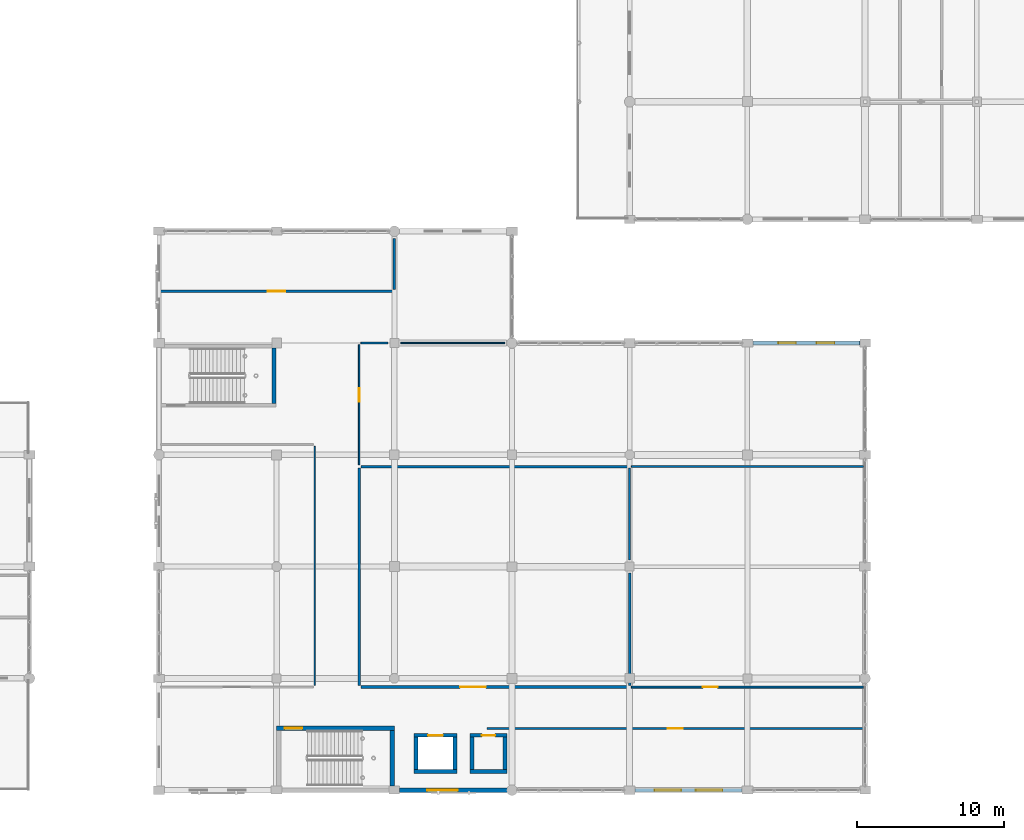
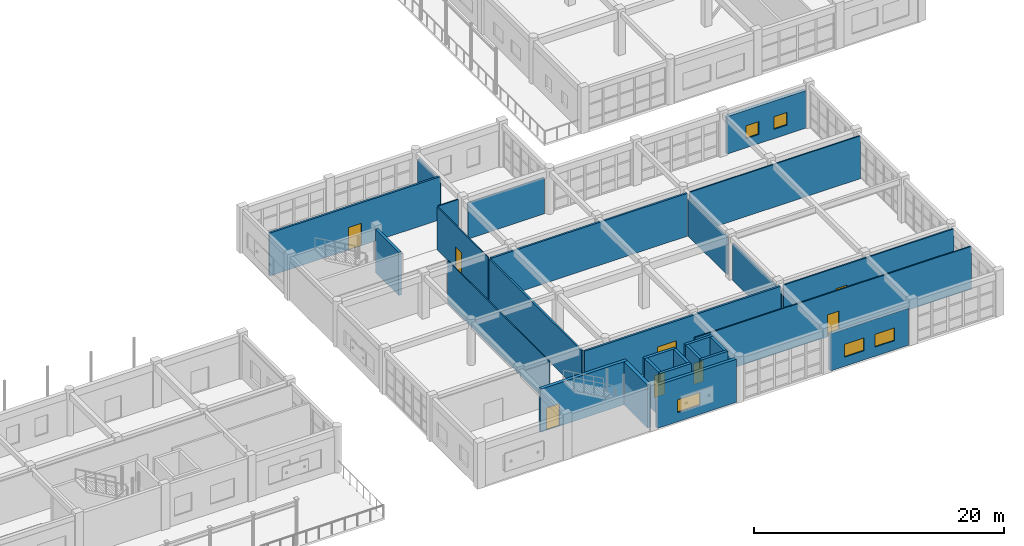
# One storey, part 134 of 160: 28 walls, 8 doors, 5 windows, 13 openings.
"""IFC4 building model written with IfcOpenShell, lengths in metres."""

from ifc_helpers import new_model, si_unit, direction, frame, frame_2d, origin, place, context, subcontext, project, spatial, rectangle, extrude, material, layer, layer_set, type_object, element, fill, save


model = new_model("IFC4")

# Units and contexts
model_context = context("Model", 3, precision=1e-05, world=origin(), true_north=direction((0.0, 1.0)))
body_context = subcontext(model_context, "Body", "Model", "MODEL_VIEW")
ifc_project = project(units=[si_unit("LENGTHUNIT", "METRE"), si_unit("AREAUNIT", "SQUARE_METRE"), si_unit("VOLUMEUNIT", "CUBIC_METRE"), si_unit("PLANEANGLEUNIT", "RADIAN"), si_unit("MASSUNIT", "GRAM", prefix="KILO")], contexts=[model_context])

# Site, building, storey
site_placement = place(None, origin())
site = spatial("IfcSite", under=ifc_project, at=site_placement, CompositionType="ELEMENT")
building_placement = place(site_placement, origin())
building = spatial("IfcBuilding", under=site, at=building_placement, Name="Kharva Crest Polytechnic", CompositionType="ELEMENT")
storey_placement = place(building_placement, frame((0.0, 0.0, 4.5)))
storey = spatial("IfcBuildingStorey", under=building, at=storey_placement, Name="L01", CompositionType="ELEMENT", Elevation=4.5)

# Wall, opening, door
ifc_material_1 = material(Name="Concrete C40/50", Category="concrete")
ifc_layer_1 = layer(ifc_material_1, 0.300048828125, Name="Concrete C40/50")
ifc_layer_set_1 = layer_set([ifc_layer_1], Name="Concrete C40/50")
wall_type_1 = type_object("IfcWallType", Name="WL-CORE-CW2-300", PredefinedType="SHEAR", material=ifc_layer_set_1)
wall_1_placement = place(storey_placement, frame((128.800048828125, 4.2099609375, 0.0), z_axis=(0.0, 0.0, 1.0), x_axis=(1.0, 0.0, 0.0)))
wall_1 = element("IfcWall", 1, at=wall_1_placement, inside=storey, type_object=wall_type_1, Name="L01 South-East Refectory Escarpment Core C6 North Shear Wall", PredefinedType="SHEAR", context=body_context, shape_type="SweptSolid", body=[
    extrude(rectangle(XDim=8.0, YDim=0.300048828125, at=frame_2d((4.0, 0.0))), origin(), (0.0, 0.0, 1.0), 4.219970703125),
])
opening_1_placement = place(wall_1_placement, frame((0.550048828125, 0.0, 0.0)))
opening_1 = element("IfcOpeningElement", 2, at=opening_1_placement, cuts=wall_1, Name="Opening FD1", PredefinedType="OPENING", context=body_context, shape_type="SweptSolid", body=[
    extrude(rectangle(XDim=1.199951171875, YDim=2.199951171875, at=frame_2d((0.60009765625, 1.10009765625))), frame((0.0, 0.159912109375, 0.0), z_axis=(0.0, -1.0, 0.0), x_axis=(1.0, 0.0, 0.0)), (0.0, 0.0, 1.0), 0.320068359375),
])
ifc_material_2 = material(Name="Teak timber", Category="wood")
door_type_1 = type_object("IfcDoorType", Name="DR-STAIR-1200X2200", OperationType="NOTDEFINED", PredefinedType="DOOR", material=ifc_material_2)
door_1_placement = place(opening_1_placement, origin())
door_1 = element("IfcDoor", 3, at=door_1_placement, inside=storey, type_object=door_type_1, Name="L01 ST-06 Stair Door", OperationType="SINGLE_SWING_LEFT", OverallHeight=2.199951171875, OverallWidth=1.199951171875, PredefinedType="DOOR", context=body_context, shape_type="SweptSolid", body=[
    extrude(rectangle(XDim=1.199951171875, YDim=2.199951171875, at=frame_2d((0.60009765625, 1.10009765625))), frame((0.0, 0.02490234375, 0.0), z_axis=(0.0, -1.0, 0.0), x_axis=(1.0, 0.0, 0.0)), (0.0, 0.0, 1.0), 0.050048828125),
])
fill(opening_1, door_1)

# Wall
wall_2_placement = place(storey_placement, frame((136.64990234375, 0.300048828125, 0.0), z_axis=(0.0, 0.0, 1.0), x_axis=(0.0, 1.0, 0.0)))
element("IfcWall", 4, at=wall_2_placement, inside=storey, type_object=wall_type_1, Name="L01 South-East Refectory Escarpment Core C6 East Shear Wall", PredefinedType="SHEAR", context=body_context, shape_type="SweptSolid", body=[
    extrude(rectangle(XDim=3.760009765625, YDim=0.300048828125, at=frame_2d((1.8798828125, 0.0))), origin(), (0.0, 0.0, 1.0), 4.219970703125),
])

# Wall, openings, windows
ifc_material_3 = material(Name="Kiln brick masonry", Category="masonry")
ifc_layer_2 = layer(ifc_material_3, 0.260009765625, Name="Kiln brick masonry")
ifc_layer_set_2 = layer_set([ifc_layer_2], Name="Kiln brick masonry")
wall_type_2 = type_object("IfcWallType", Name="WL-EXT-BRK-260", PredefinedType="SOLIDWALL", material=ifc_layer_set_2)
wall_3_placement = place(storey_placement, frame((153.169921875, 0.0, 0.0), z_axis=(0.0, 0.0, 1.0), x_axis=(1.0, 0.0, 0.0)))
wall_3 = element("IfcWall", 5, at=wall_3_placement, inside=storey, type_object=wall_type_2, Name="L01 Exterior Brick Wall 162", PredefinedType="SOLIDWALL", context=body_context, shape_type="SweptSolid", body=[
    extrude(rectangle(XDim=7.260009765625, YDim=0.260009765625, at=frame_2d((3.6298828125, 0.0))), origin(), (0.0, 0.0, 1.0), 3.6201171875),
])
opening_2_placement = place(wall_3_placement, frame((1.326904296875, 0.0, 0.89990234375)))
opening_2 = element("IfcOpeningElement", 6, at=opening_2_placement, cuts=wall_3, Name="Opening W19", PredefinedType="OPENING", context=body_context, shape_type="SweptSolid", body=[
    extrude(rectangle(XDim=1.800048828125, YDim=1.25, at=frame_2d((0.89990234375, 0.625))), frame((0.0, 0.139892578125, 0.0), z_axis=(0.0, -1.0, 0.0), x_axis=(1.0, 0.0, 0.0)), (0.0, 0.0, 1.0), 0.280029296875),
])
opening_3_placement = place(wall_3_placement, frame((4.133056640625, 0.0, 0.89990234375)))
opening_3 = element("IfcOpeningElement", 7, at=opening_3_placement, cuts=wall_3, Name="Opening W19", PredefinedType="OPENING", context=body_context, shape_type="SweptSolid", body=[
    extrude(rectangle(XDim=1.800048828125, YDim=1.25, at=frame_2d((0.89990234375, 0.625))), frame((0.0, 0.139892578125, 0.0), z_axis=(0.0, -1.0, 0.0), x_axis=(1.0, 0.0, 0.0)), (0.0, 0.0, 1.0), 0.280029296875),
])
ifc_material_4 = material(Name="Anodised aluminium", Category="aluminium")
window_type_1 = type_object("IfcWindowType", Name="WIN-ALU-1800X1250", PartitioningType="SINGLE_PANEL", PredefinedType="WINDOW", material=ifc_material_4)
window_1_placement = place(opening_2_placement, origin())
window_1 = element("IfcWindow", 8, at=window_1_placement, inside=storey, type_object=window_type_1, Name="L01 Exterior Window 209", OverallHeight=1.25, OverallWidth=1.800048828125, PartitioningType="SINGLE_PANEL", PredefinedType="WINDOW", context=body_context, shape_type="SweptSolid", body=[
    extrude(rectangle(XDim=1.800048828125, YDim=1.25, at=frame_2d((0.89990234375, 0.625))), frame((0.0, 0.030029296875, 0.0), z_axis=(0.0, -1.0, 0.0), x_axis=(1.0, 0.0, 0.0)), (0.0, 0.0, 1.0), 0.06005859375),
])
fill(opening_2, window_1)
window_2_placement = place(opening_3_placement, origin())
window_2 = element("IfcWindow", 9, at=window_2_placement, inside=storey, type_object=window_type_1, Name="L01 Exterior Window 210", OverallHeight=1.25, OverallWidth=1.800048828125, PartitioningType="SINGLE_PANEL", PredefinedType="WINDOW", context=body_context, shape_type="SweptSolid", body=[
    extrude(rectangle(XDim=1.800048828125, YDim=1.25, at=frame_2d((0.89990234375, 0.625))), frame((0.0, 0.030029296875, 0.0), z_axis=(0.0, -1.0, 0.0), x_axis=(1.0, 0.0, 0.0)), (0.0, 0.0, 1.0), 0.06005859375),
])
fill(opening_3, window_2)

# Wall, opening, window
ifc_layer_3 = layer(ifc_material_3, 0.2900390625, Name="Kiln brick masonry")
ifc_layer_set_3 = layer_set([ifc_layer_3], Name="Kiln brick masonry")
wall_type_3 = type_object("IfcWallType", Name="WL-EXT-BRK-290", PredefinedType="SOLIDWALL", material=ifc_layer_set_3)
wall_4_placement = place(storey_placement, frame((137.155029296875, 0.0, 0.0), z_axis=(0.0, 0.0, 1.0), x_axis=(1.0, 0.0, 0.0)))
wall_4 = element("IfcWall", 10, at=wall_4_placement, inside=storey, type_object=wall_type_3, Name="L01 Exterior Brick Wall 161", PredefinedType="SOLIDWALL", context=body_context, shape_type="SweptSolid", body=[
    extrude(rectangle(XDim=7.342529296875, YDim=0.2900390625, at=frame_2d((3.67138671875, 0.0))), origin(), (0.0, 0.0, 1.0), 4.219970703125),
])
opening_4_placement = place(wall_4_placement, frame((1.8720703125, 0.0, 0.89990234375)))
opening_4 = element("IfcOpeningElement", 11, at=opening_4_placement, cuts=wall_4, Name="Opening W18", PredefinedType="OPENING", context=body_context, shape_type="SweptSolid", body=[
    extrude(rectangle(XDim=2.10009765625, YDim=1.25, at=frame_2d((1.050048828125, 0.625))), frame((0.0, 0.155029296875, 0.0), z_axis=(0.0, -1.0, 0.0), x_axis=(1.0, 0.0, 0.0)), (0.0, 0.0, 1.0), 0.31005859375),
])
window_type_2 = type_object("IfcWindowType", Name="WIN-ALU-2100X1250", PartitioningType="SINGLE_PANEL", PredefinedType="WINDOW", material=ifc_material_4)
window_3_placement = place(opening_4_placement, origin())
window_3 = element("IfcWindow", 12, at=window_3_placement, inside=storey, type_object=window_type_2, Name="L01 Exterior Window 208", OverallHeight=1.25, OverallWidth=2.10009765625, PartitioningType="SINGLE_PANEL", PredefinedType="WINDOW", context=body_context, shape_type="SweptSolid", body=[
    extrude(rectangle(XDim=2.10009765625, YDim=1.25, at=frame_2d((1.050048828125, 0.625))), frame((0.0, 0.030029296875, 0.0), z_axis=(0.0, -1.0, 0.0), x_axis=(1.0, 0.0, 0.0)), (0.0, 0.0, 1.0), 0.06005859375),
])
fill(opening_4, window_3)

# Wall, openings, windows
ifc_layer_4 = layer(ifc_material_3, 0.304931640625, Name="Kiln brick masonry")
ifc_layer_set_4 = layer_set([ifc_layer_4], Name="Kiln brick masonry")
wall_type_4 = type_object("IfcWallType", Name="WL-EXT-BRK-305", PredefinedType="SOLIDWALL", material=ifc_layer_set_4)
wall_5_placement = place(storey_placement, frame((168.445068359375, 30.39990234375, 0.0), z_axis=(0.0, 0.0, 1.0), x_axis=(-1.0, 0.0, 0.0)))
wall_5 = element("IfcWall", 13, at=wall_5_placement, inside=storey, type_object=wall_type_4, Name="L01 Exterior Brick Wall 163", PredefinedType="SOLIDWALL", context=body_context, shape_type="SweptSolid", body=[
    extrude(rectangle(XDim=7.275146484375, YDim=0.304931640625, at=frame_2d((3.6376953125, 0.0))), origin(), (0.0, 0.0, 1.0), 3.669921875),
])
opening_5_placement = place(wall_5_placement, frame((1.73193359375, 0.0, 0.89990234375)))
opening_5 = element("IfcOpeningElement", 14, at=opening_5_placement, cuts=wall_5, Name="Opening W21", PredefinedType="OPENING", context=body_context, shape_type="SweptSolid", body=[
    extrude(rectangle(XDim=1.199951171875, YDim=1.25, at=frame_2d((0.60009765625, 0.625))), frame((0.0, 0.162353515625, 0.0), z_axis=(0.0, -1.0, 0.0), x_axis=(1.0, 0.0, 0.0)), (0.0, 0.0, 1.0), 0.324951171875),
])
opening_6_placement = place(wall_5_placement, frame((4.343017578125, 0.0, 0.89990234375)))
opening_6 = element("IfcOpeningElement", 15, at=opening_6_placement, cuts=wall_5, Name="Opening W21", PredefinedType="OPENING", context=body_context, shape_type="SweptSolid", body=[
    extrude(rectangle(XDim=1.199951171875, YDim=1.25, at=frame_2d((0.60009765625, 0.625))), frame((0.0, 0.162353515625, 0.0), z_axis=(0.0, -1.0, 0.0), x_axis=(1.0, 0.0, 0.0)), (0.0, 0.0, 1.0), 0.324951171875),
])
window_type_3 = type_object("IfcWindowType", Name="WIN-ALU-1200X1250", PartitioningType="SINGLE_PANEL", PredefinedType="WINDOW", material=ifc_material_4)
window_4_placement = place(opening_5_placement, origin())
window_4 = element("IfcWindow", 16, at=window_4_placement, inside=storey, type_object=window_type_3, Name="L01 Exterior Window 211", OverallHeight=1.25, OverallWidth=1.199951171875, PartitioningType="SINGLE_PANEL", PredefinedType="WINDOW", context=body_context, shape_type="SweptSolid", body=[
    extrude(rectangle(XDim=1.199951171875, YDim=1.25, at=frame_2d((0.60009765625, 0.625))), frame((0.0, 0.030029296875, 0.0), z_axis=(0.0, -1.0, 0.0), x_axis=(1.0, 0.0, 0.0)), (0.0, 0.0, 1.0), 0.06005859375),
])
fill(opening_5, window_4)
window_5_placement = place(opening_6_placement, origin())
window_5 = element("IfcWindow", 17, at=window_5_placement, inside=storey, type_object=window_type_3, Name="L01 Exterior Window 212", OverallHeight=1.25, OverallWidth=1.199951171875, PartitioningType="SINGLE_PANEL", PredefinedType="WINDOW", context=body_context, shape_type="SweptSolid", body=[
    extrude(rectangle(XDim=1.199951171875, YDim=1.25, at=frame_2d((0.60009765625, 0.625))), frame((0.0, 0.030029296875, 0.0), z_axis=(0.0, -1.0, 0.0), x_axis=(1.0, 0.0, 0.0)), (0.0, 0.0, 1.0), 0.06005859375),
])
fill(opening_6, window_5)

# Wall
ifc_layer_5 = layer(ifc_material_3, 0.090087890625, Name="Kiln brick masonry")
ifc_layer_set_5 = layer_set([ifc_layer_5], Name="Kiln brick masonry")
wall_type_5 = type_object("IfcWallType", Name="WL-PART-090", PredefinedType="PARTITIONING", material=ifc_layer_set_5)
wall_6_placement = place(storey_placement, frame((131.389892578125, 7.1201171875, 0.0), z_axis=(0.0, 0.0, 1.0), x_axis=(0.0, 1.0, 0.0)))
element("IfcWall", 18, at=wall_6_placement, inside=storey, type_object=wall_type_5, Name="L01 Interior Partition 159", PredefinedType="PARTITIONING", context=body_context, shape_type="SweptSolid", body=[
    extrude(rectangle(XDim=16.259765625, YDim=0.090087890625, at=frame_2d((8.1298828125, 0.0))), origin(), (0.0, 0.0, 1.0), 4.199951171875),
])

# Wall, opening, door
wall_7_placement = place(storey_placement, frame((134.409912109375, 22.118896484375, 0.0), z_axis=(0.0, 0.0, 1.0), x_axis=(0.0, 1.0, 0.0)))
wall_7 = element("IfcWall", 19, at=wall_7_placement, inside=storey, type_object=wall_type_5, Name="L01 Interior Partition 169", PredefinedType="PARTITIONING", context=body_context, shape_type="SweptSolid", body=[
    extrude(rectangle(XDim=8.171142578125, YDim=0.090087890625, at=frame_2d((4.08544921875, 0.0))), origin(), (0.0, 0.0, 1.0), 4.199951171875),
])
opening_7_placement = place(wall_7_placement, frame((4.283935546875, 0.0, 0.0)))
opening_7 = element("IfcOpeningElement", 20, at=opening_7_placement, cuts=wall_7, Name="Opening ID15", PredefinedType="OPENING", context=body_context, shape_type="SweptSolid", body=[
    extrude(rectangle(XDim=0.909912109375, YDim=2.10009765625, at=frame_2d((0.455078125, 1.050048828125))), frame((0.0, 0.054931640625, 0.0), z_axis=(0.0, -1.0, 0.0), x_axis=(1.0, 0.0, 0.0)), (0.0, 0.0, 1.0), 0.110107421875),
])
door_type_2 = type_object("IfcDoorType", Name="DR-WC-910X2100", OperationType="NOTDEFINED", PredefinedType="DOOR", material=ifc_material_2)
door_2_placement = place(opening_7_placement, origin())
door_2 = element("IfcDoor", 21, at=door_2_placement, inside=storey, type_object=door_type_2, Name="L01 Union Male Female and Accessible WC L01 Door", OperationType="SINGLE_SWING_LEFT", OverallHeight=2.10009765625, OverallWidth=0.909912109375, PredefinedType="DOOR", context=body_context, shape_type="SweptSolid", body=[
    extrude(rectangle(XDim=0.909912109375, YDim=2.10009765625, at=frame_2d((0.455078125, 1.050048828125))), frame((0.0, 0.02490234375, 0.0), z_axis=(0.0, -1.0, 0.0), x_axis=(1.0, 0.0, 0.0)), (0.0, 0.0, 1.0), 0.050048828125),
])
fill(opening_7, door_2)

# Walls
ifc_layer_6 = layer(ifc_material_3, 0.10009765625, Name="Kiln brick masonry")
ifc_layer_set_6 = layer_set([ifc_layer_6], Name="Kiln brick masonry")
wall_type_6 = type_object("IfcWallType", Name="WL-PART-100", PredefinedType="PARTITIONING", material=ifc_layer_set_6)
wall_8_placement = place(storey_placement, frame((137.239990234375, 30.39990234375, 0.0), z_axis=(0.0, 0.0, 1.0), x_axis=(1.0, 0.0, 0.0)))
element("IfcWall", 22, at=wall_8_placement, inside=storey, type_object=wall_type_6, Name="L01 Interior Partition 168", PredefinedType="PARTITIONING", context=body_context, shape_type="SweptSolid", body=[
    extrude(rectangle(XDim=7.070068359375, YDim=0.10009765625, at=frame_2d((3.53515625, 0.0))), origin(), (0.0, 0.0, 1.0), 3.56005859375),
])
ifc_layer_7 = layer(ifc_material_3, 0.110107421875, Name="Kiln brick masonry")
ifc_layer_set_7 = layer_set([ifc_layer_7], Name="Kiln brick masonry")
wall_type_7 = type_object("IfcWallType", Name="WL-PART-110", PredefinedType="PARTITIONING", material=ifc_layer_set_7)
wall_9_placement = place(storey_placement, frame((134.52001953125, 30.39990234375, 0.0), z_axis=(0.0, 0.0, 1.0), x_axis=(1.0, 0.0, 0.0)))
element("IfcWall", 23, at=wall_9_placement, inside=storey, type_object=wall_type_7, Name="L01 Interior Partition 167", PredefinedType="PARTITIONING", context=body_context, shape_type="SweptSolid", body=[
    extrude(rectangle(XDim=1.840087890625, YDim=0.110107421875, at=frame_2d((0.919921875, 0.0))), origin(), (0.0, 0.0, 1.0), 4.199951171875),
])

# Wall, opening, door
ifc_layer_8 = layer(ifc_material_3, 0.1201171875, Name="Kiln brick masonry")
ifc_layer_set_8 = layer_set([ifc_layer_8], Name="Kiln brick masonry")
wall_type_8 = type_object("IfcWallType", Name="WL-PART-120", PredefinedType="PARTITIONING", material=ifc_layer_set_8)
wall_10_placement = place(storey_placement, frame((143.110107421875, 4.18994140625, 0.0), z_axis=(0.0, 0.0, 1.0), x_axis=(1.0, 0.0, 0.0)))
wall_10 = element("IfcWall", 24, at=wall_10_placement, inside=storey, type_object=wall_type_8, Name="L01 Interior Partition 156", PredefinedType="PARTITIONING", context=body_context, shape_type="SweptSolid", body=[
    extrude(rectangle(XDim=25.579833984375, YDim=0.1201171875, at=frame_2d((12.7900390625, 0.0))), origin(), (0.0, 0.0, 1.0), 4.199951171875),
])
opening_8_placement = place(wall_10_placement, frame((12.27001953125, 0.0, 0.0)))
opening_8 = element("IfcOpeningElement", 25, at=opening_8_placement, cuts=wall_10, Name="Opening ID11", PredefinedType="OPENING", context=body_context, shape_type="SweptSolid", body=[
    extrude(rectangle(XDim=1.0400390625, YDim=2.14990234375, at=frame_2d((0.52001953125, 1.074951171875))), frame((0.0, 0.070068359375, 0.0), z_axis=(0.0, -1.0, 0.0), x_axis=(1.0, 0.0, 0.0)), (0.0, 0.0, 1.0), 0.14013671875),
])
door_type_3 = type_object("IfcDoorType", Name="DR-CLS-1040X2150", OperationType="NOTDEFINED", PredefinedType="DOOR", material=ifc_material_2)
door_3_placement = place(opening_8_placement, origin())
door_3 = element("IfcDoor", 26, at=door_3_placement, inside=storey, type_object=door_type_3, Name="L01 Student Societies Seminar Room Door", OperationType="SINGLE_SWING_LEFT", OverallHeight=2.14990234375, OverallWidth=1.0400390625, PredefinedType="DOOR", context=body_context, shape_type="SweptSolid", body=[
    extrude(rectangle(XDim=1.0400390625, YDim=2.14990234375, at=frame_2d((0.52001953125, 1.074951171875))), frame((0.0, 0.02490234375, 0.0), z_axis=(0.0, -1.0, 0.0), x_axis=(1.0, 0.0, 0.0)), (0.0, 0.0, 1.0), 0.050048828125),
])
fill(opening_8, door_3)

# Wall
wall_11_placement = place(storey_placement, frame((152.919921875, 22.0, 0.0), z_axis=(0.0, 0.0, 1.0), x_axis=(1.0, 0.0, 0.0)))
element("IfcWall", 27, at=wall_11_placement, inside=storey, type_object=wall_type_8, Name="L01 Interior Partition 166", PredefinedType="PARTITIONING", context=body_context, shape_type="SweptSolid", body=[
    extrude(rectangle(XDim=15.77001953125, YDim=0.1201171875, at=frame_2d((7.885009765625, 0.0))), origin(), (0.0, 0.0, 1.0), 4.199951171875),
])

# Wall, opening, door
ifc_layer_9 = layer(ifc_material_3, 0.1298828125, Name="Kiln brick masonry")
ifc_layer_set_9 = layer_set([ifc_layer_9], Name="Kiln brick masonry")
wall_type_9 = type_object("IfcWallType", Name="WL-PART-130", PredefinedType="PARTITIONING", material=ifc_layer_set_9)
wall_12_placement = place(storey_placement, frame((152.919921875, 7.010009765625, 0.0), z_axis=(0.0, 0.0, 1.0), x_axis=(1.0, 0.0, 0.0)))
wall_12 = element("IfcWall", 28, at=wall_12_placement, inside=storey, type_object=wall_type_9, Name="L01 Interior Partition 165", PredefinedType="PARTITIONING", context=body_context, shape_type="SweptSolid", body=[
    extrude(rectangle(XDim=15.77001953125, YDim=0.1298828125, at=frame_2d((7.885009765625, 0.0))), origin(), (0.0, 0.0, 1.0), 4.199951171875),
])
opening_9_placement = place(wall_12_placement, frame((4.862060546875, 0.0, 0.0)))
opening_9 = element("IfcOpeningElement", 29, at=opening_9_placement, cuts=wall_12, Name="Opening ID12", PredefinedType="OPENING", context=body_context, shape_type="SweptSolid", body=[
    extrude(rectangle(XDim=1.0, YDim=2.14990234375, at=frame_2d((0.5, 1.074951171875))), frame((0.0, 0.074951171875, 0.0), z_axis=(0.0, -1.0, 0.0), x_axis=(1.0, 0.0, 0.0)), (0.0, 0.0, 1.0), 0.14990234375),
])
door_type_4 = type_object("IfcDoorType", Name="DR-OFF-1000X2150", OperationType="NOTDEFINED", PredefinedType="DOOR", material=ifc_material_2)
door_4_placement = place(opening_9_placement, origin())
door_4 = element("IfcDoor", 30, at=door_4_placement, inside=storey, type_object=door_type_4, Name="L01 Student Counselling Office Door", OperationType="SINGLE_SWING_RIGHT", OverallHeight=2.14990234375, OverallWidth=1.0, PredefinedType="DOOR", context=body_context, shape_type="SweptSolid", body=[
    extrude(rectangle(XDim=1.0, YDim=2.14990234375, at=frame_2d((0.5, 1.074951171875))), frame((0.0, 0.02490234375, 0.0), z_axis=(0.0, -1.0, 0.0), x_axis=(1.0, 0.0, 0.0)), (0.0, 0.0, 1.0), 0.050048828125),
])
fill(opening_9, door_4)

# Walls
ifc_layer_10 = layer(ifc_material_3, 0.139892578125, Name="Kiln brick masonry")
ifc_layer_set_10 = layer_set([ifc_layer_10], Name="Kiln brick masonry")
wall_type_10 = type_object("IfcWallType", Name="WL-PART-140", PredefinedType="PARTITIONING", material=ifc_layer_set_10)
wall_13_placement = place(storey_placement, frame((152.800048828125, 15.639892578125, 0.0), z_axis=(0.0, 0.0, 1.0), x_axis=(0.0, 1.0, 0.0)))
element("IfcWall", 31, at=wall_13_placement, inside=storey, type_object=wall_type_10, Name="L01 Interior Partition 164", PredefinedType="PARTITIONING", context=body_context, shape_type="SweptSolid", body=[
    extrude(rectangle(XDim=6.25, YDim=0.139892578125, at=frame_2d((3.125, 0.0))), origin(), (0.0, 0.0, 1.0), 3.699951171875),
])
ifc_layer_11 = layer(ifc_material_3, 0.14990234375, Name="Kiln brick masonry")
ifc_layer_set_11 = layer_set([ifc_layer_11], Name="Kiln brick masonry")
wall_type_11 = type_object("IfcWallType", Name="WL-PART-150", PredefinedType="PARTITIONING", material=ifc_layer_set_11)
wall_14_placement = place(storey_placement, frame((152.800048828125, 7.1201171875, 0.0), z_axis=(0.0, 0.0, 1.0), x_axis=(0.0, 1.0, 0.0)))
element("IfcWall", 32, at=wall_14_placement, inside=storey, type_object=wall_type_11, Name="L01 Interior Partition 163", PredefinedType="PARTITIONING", context=body_context, shape_type="SweptSolid", body=[
    extrude(rectangle(XDim=7.639892578125, YDim=0.14990234375, at=frame_2d((3.81982421875, 0.0))), origin(), (0.0, 0.0, 1.0), 3.639892578125),
])
ifc_layer_12 = layer(ifc_material_3, 0.159912109375, Name="Kiln brick masonry")
ifc_layer_set_12 = layer_set([ifc_layer_12], Name="Kiln brick masonry")
wall_type_12 = type_object("IfcWallType", Name="WL-PART-160", PredefinedType="PARTITIONING", material=ifc_layer_set_12)
wall_15_placement = place(storey_placement, frame((134.409912109375, 7.1201171875, 0.0), z_axis=(0.0, 0.0, 1.0), x_axis=(0.0, 1.0, 0.0)))
element("IfcWall", 33, at=wall_15_placement, inside=storey, type_object=wall_type_12, Name="L01 Interior Partition 162", PredefinedType="PARTITIONING", context=body_context, shape_type="SweptSolid", body=[
    extrude(rectangle(XDim=14.769775390625, YDim=0.159912109375, at=frame_2d((7.384765625, 0.0))), origin(), (0.0, 0.0, 1.0), 4.199951171875),
])
ifc_layer_13 = layer(ifc_material_3, 0.169921875, Name="Kiln brick masonry")
ifc_layer_set_13 = layer_set([ifc_layer_13], Name="Kiln brick masonry")
wall_type_13 = type_object("IfcWallType", Name="WL-PART-170", PredefinedType="PARTITIONING", material=ifc_layer_set_13)
wall_16_placement = place(storey_placement, frame((134.52001953125, 22.0, 0.0), z_axis=(0.0, 0.0, 1.0), x_axis=(1.0, 0.0, 0.0)))
element("IfcWall", 34, at=wall_16_placement, inside=storey, type_object=wall_type_13, Name="L01 Interior Partition 161", PredefinedType="PARTITIONING", context=body_context, shape_type="SweptSolid", body=[
    extrude(rectangle(XDim=18.169921875, YDim=0.169921875, at=frame_2d((9.0849609375, 0.0))), origin(), (0.0, 0.0, 1.0), 4.199951171875),
])
wall_17_placement = place(storey_placement, frame((136.800048828125, 34.02001953125, 0.0), z_axis=(0.0, 0.0, 1.0), x_axis=(0.0, 1.0, 0.0)))
element("IfcWall", 35, at=wall_17_placement, inside=storey, type_object=wall_type_13, Name="L01 Interior Partition 171", PredefinedType="PARTITIONING", context=body_context, shape_type="SweptSolid", body=[
    extrude(rectangle(XDim=3.489990234375, YDim=0.169921875, at=frame_2d((1.7451171875, 0.0))), origin(), (0.0, 0.0, 1.0), 3.699951171875),
])

# Wall, opening, door
ifc_layer_14 = layer(ifc_material_3, 0.179931640625, Name="Kiln brick masonry")
ifc_layer_set_14 = layer_set([ifc_layer_14], Name="Kiln brick masonry")
wall_type_14 = type_object("IfcWallType", Name="WL-PART-180", PredefinedType="PARTITIONING", material=ifc_layer_set_14)
wall_18_placement = place(storey_placement, frame((134.52001953125, 7.010009765625, 0.0), z_axis=(0.0, 0.0, 1.0), x_axis=(1.0, 0.0, 0.0)))
wall_18 = element("IfcWall", 36, at=wall_18_placement, inside=storey, type_object=wall_type_14, Name="L01 Interior Partition 160", PredefinedType="PARTITIONING", context=body_context, shape_type="SweptSolid", body=[
    extrude(rectangle(XDim=18.169921875, YDim=0.179931640625, at=frame_2d((9.0849609375, 0.0))), origin(), (0.0, 0.0, 1.0), 4.199951171875),
])
opening_10_placement = place(wall_18_placement, frame((6.756103515625, 0.0, 0.0)))
opening_10 = element("IfcOpeningElement", 37, at=opening_10_placement, cuts=wall_18, Name="Opening ID5", PredefinedType="OPENING", context=body_context, shape_type="SweptSolid", body=[
    extrude(rectangle(XDim=1.75, YDim=2.25, at=frame_2d((0.875, 1.125))), frame((0.0, 0.099853515625, 0.0), z_axis=(0.0, -1.0, 0.0), x_axis=(1.0, 0.0, 0.0)), (0.0, 0.0, 1.0), 0.199951171875),
])
door_type_5 = type_object("IfcDoorType", Name="DR-LIB-DBL-1750X2250", OperationType="NOTDEFINED", PredefinedType="DOOR", material=ifc_material_2)
door_5_placement = place(opening_10_placement, origin())
door_5 = element("IfcDoor", 38, at=door_5_placement, inside=storey, type_object=door_type_5, Name="L01 Student Study Lounge Commons Door", OperationType="DOUBLE_DOOR_SINGLE_SWING", OverallHeight=2.25, OverallWidth=1.75, PredefinedType="DOOR", context=body_context, shape_type="SweptSolid", body=[
    extrude(rectangle(XDim=1.75, YDim=2.25, at=frame_2d((0.875, 1.125))), frame((0.0, 0.02490234375, 0.0), z_axis=(0.0, -1.0, 0.0), x_axis=(1.0, 0.0, 0.0)), (0.0, 0.0, 1.0), 0.050048828125),
])
fill(opening_10, door_5)

wall_19_placement = place(storey_placement, frame((120.909912109375, 33.909912109375, 0.0), z_axis=(0.0, 0.0, 1.0), x_axis=(1.0, 0.0, 0.0)))
wall_19 = element("IfcWall", 39, at=wall_19_placement, inside=storey, type_object=wall_type_14, Name="L01 Interior Partition 170", PredefinedType="PARTITIONING", context=body_context, shape_type="SweptSolid", body=[
    extrude(rectangle(XDim=15.780029296875, YDim=0.179931640625, at=frame_2d((7.89013671875, 0.0))), origin(), (0.0, 0.0, 1.0), 4.199951171875),
])
opening_11_placement = place(wall_19_placement, frame((7.300048828125, 0.0, 0.0)))
opening_11 = element("IfcOpeningElement", 40, at=opening_11_placement, cuts=wall_19, Name="Opening ID8", PredefinedType="OPENING", context=body_context, shape_type="SweptSolid", body=[
    extrude(rectangle(XDim=1.179931640625, YDim=2.199951171875, at=frame_2d((0.58984375, 1.10009765625))), frame((0.0, 0.099853515625, 0.0), z_axis=(0.0, -1.0, 0.0), x_axis=(1.0, 0.0, 0.0)), (0.0, 0.0, 1.0), 0.199951171875),
])
door_type_6 = type_object("IfcDoorType", Name="DR-STD-1180X2200", OperationType="NOTDEFINED", PredefinedType="DOOR", material=ifc_material_2)
door_6_placement = place(opening_11_placement, origin())
door_6 = element("IfcDoor", 41, at=door_6_placement, inside=storey, type_object=door_type_6, Name="L01 Campus Radio and Media Studio Door", OperationType="SINGLE_SWING_RIGHT", OverallHeight=2.199951171875, OverallWidth=1.179931640625, PredefinedType="DOOR", context=body_context, shape_type="SweptSolid", body=[
    extrude(rectangle(XDim=1.179931640625, YDim=2.199951171875, at=frame_2d((0.58984375, 1.10009765625))), frame((0.0, 0.02490234375, 0.0), z_axis=(0.0, -1.0, 0.0), x_axis=(1.0, 0.0, 0.0)), (0.0, 0.0, 1.0), 0.050048828125),
])
fill(opening_11, door_6)

# Wall
ifc_layer_15 = layer(ifc_material_1, 0.25, Name="Concrete C40/50")
ifc_layer_set_15 = layer_set([ifc_layer_15], Name="Concrete C40/50")
wall_type_15 = type_object("IfcWallType", Name="WL-SHEAR-SW1-250", PredefinedType="SHEAR", material=ifc_layer_set_15)
wall_20_placement = place(storey_placement, frame((138.14990234375, 1.27490234375, 0.0), z_axis=(0.0, 0.0, 1.0), x_axis=(1.0, 0.0, 0.0)))
element("IfcWall", 42, at=wall_20_placement, inside=storey, type_object=wall_type_15, Name="L01 Lift PL4 South Shaft Wall", PredefinedType="SHEAR", context=body_context, shape_type="SweptSolid", body=[
    extrude(rectangle(XDim=2.900146484375, YDim=0.25, at=frame_2d((1.4501953125, 0.0))), origin(), (0.0, 0.0, 1.0), 4.219970703125),
])

# Wall, opening, door
wall_21_placement = place(storey_placement, frame((138.14990234375, 3.72509765625, 0.0), z_axis=(0.0, 0.0, 1.0), x_axis=(1.0, 0.0, 0.0)))
wall_21 = element("IfcWall", 43, at=wall_21_placement, inside=storey, type_object=wall_type_15, Name="L01 Lift PL4 North Shaft Wall", PredefinedType="SHEAR", context=body_context, shape_type="SweptSolid", body=[
    extrude(rectangle(XDim=2.900146484375, YDim=0.25, at=frame_2d((1.4501953125, 0.0))), origin(), (0.0, 0.0, 1.0), 4.219970703125),
])
opening_12_placement = place(wall_21_placement, frame((0.949951171875, 0.0, 0.0)))
opening_12 = element("IfcOpeningElement", 44, at=opening_12_placement, cuts=wall_21, Name="Opening LD2", PredefinedType="OPENING", context=body_context, shape_type="SweptSolid", body=[
    extrude(rectangle(XDim=1.0, YDim=2.14990234375, at=frame_2d((0.5, 1.074951171875))), frame((0.0, 0.135009765625, 0.0), z_axis=(0.0, -1.0, 0.0), x_axis=(1.0, 0.0, 0.0)), (0.0, 0.0, 1.0), 0.27001953125),
])
door_type_7 = type_object("IfcDoorType", Name="DR-LIFT-LD2-1000X2150", OperationType="SLIDING_TO_LEFT", PredefinedType="DOOR", material=ifc_material_4)
door_7_placement = place(opening_12_placement, origin())
door_7 = element("IfcDoor", 45, at=door_7_placement, inside=storey, type_object=door_type_7, Name="L01 Lift PL4 Sliding Landing Door", OperationType="SLIDING_TO_LEFT", OverallHeight=2.14990234375, OverallWidth=1.0, PredefinedType="DOOR", context=body_context, shape_type="SweptSolid", body=[
    extrude(rectangle(XDim=1.0, YDim=2.14990234375, at=frame_2d((0.5, 1.074951171875))), frame((0.0, 0.02490234375, 0.0), z_axis=(0.0, -1.0, 0.0), x_axis=(1.0, 0.0, 0.0)), (0.0, 0.0, 1.0), 0.050048828125),
])
fill(opening_12, door_7)

# Walls
for number, where, z_axis, x_axis, name in (
    (46, (138.27490234375, 1.39990234375, 0.0), (0.0, 0.0, 1.0), (0.0, 1.0, 0.0), "L01 Lift PL4 West Shaft Wall"),
    (47, (140.925048828125, 1.39990234375, 0.0), (0.0, 0.0, 1.0), (0.0, 1.0, 0.0), "L01 Lift PL4 East Shaft Wall"),
):
    element("IfcWall", number, at=place(storey_placement, frame(where, z_axis=z_axis, x_axis=x_axis)), inside=storey, type_object=wall_type_15, Name=name, PredefinedType="SHEAR", context=body_context, shape_type="SweptSolid", body=[
        extrude(rectangle(XDim=2.2001953125, YDim=0.25, at=frame_2d((1.10009765625, 0.0))), origin(), (0.0, 0.0, 1.0), 4.219970703125),
    ])
wall_22_placement = place(storey_placement, frame((141.949951171875, 1.27490234375, 0.0), z_axis=(0.0, 0.0, 1.0), x_axis=(1.0, 0.0, 0.0)))
element("IfcWall", 48, at=wall_22_placement, inside=storey, type_object=wall_type_15, Name="L01 Core C6 Riser South Wall", PredefinedType="SHEAR", context=body_context, shape_type="SweptSolid", body=[
    extrude(rectangle(XDim=2.5, YDim=0.25, at=frame_2d((1.25, 0.0))), origin(), (0.0, 0.0, 1.0), 4.219970703125),
])

# Wall, opening, door
wall_23_placement = place(storey_placement, frame((141.949951171875, 3.72509765625, 0.0), z_axis=(0.0, 0.0, 1.0), x_axis=(1.0, 0.0, 0.0)))
wall_23 = element("IfcWall", 49, at=wall_23_placement, inside=storey, type_object=wall_type_15, Name="L01 Core C6 Riser North Wall", PredefinedType="SHEAR", context=body_context, shape_type="SweptSolid", body=[
    extrude(rectangle(XDim=2.5, YDim=0.25, at=frame_2d((1.25, 0.0))), origin(), (0.0, 0.0, 1.0), 4.219970703125),
])
opening_13_placement = place(wall_23_placement, frame((0.800048828125, 0.0, 0.0)))
opening_13 = element("IfcOpeningElement", 50, at=opening_13_placement, cuts=wall_23, Name="Opening FD3", PredefinedType="OPENING", context=body_context, shape_type="SweptSolid", body=[
    extrude(rectangle(XDim=0.89990234375, YDim=2.050048828125, at=frame_2d((0.449951171875, 1.02490234375))), frame((0.0, 0.135009765625, 0.0), z_axis=(0.0, -1.0, 0.0), x_axis=(1.0, 0.0, 0.0)), (0.0, 0.0, 1.0), 0.27001953125),
])
door_type_8 = type_object("IfcDoorType", Name="DR-RISER-900X2050", OperationType="NOTDEFINED", PredefinedType="DOOR", material=ifc_material_4)
door_8_placement = place(opening_13_placement, origin())
door_8 = element("IfcDoor", 51, at=door_8_placement, inside=storey, type_object=door_type_8, Name="L01 Core C6 Riser Access Door", OperationType="SINGLE_SWING_RIGHT", OverallHeight=2.050048828125, OverallWidth=0.89990234375, PredefinedType="DOOR", context=body_context, shape_type="SweptSolid", body=[
    extrude(rectangle(XDim=0.89990234375, YDim=2.050048828125, at=frame_2d((0.449951171875, 1.02490234375))), frame((0.0, 0.02490234375, 0.0), z_axis=(0.0, -1.0, 0.0), x_axis=(1.0, 0.0, 0.0)), (0.0, 0.0, 1.0), 0.050048828125),
])
fill(opening_13, door_8)

# Walls
for number, where, z_axis, x_axis, name in (
    (52, (142.074951171875, 1.39990234375, 0.0), (0.0, 0.0, 1.0), (0.0, 1.0, 0.0), "L01 Core C6 Riser West Wall"),
    (53, (144.324951171875, 1.39990234375, 0.0), (0.0, 0.0, 1.0), (0.0, 1.0, 0.0), "L01 Core C6 Riser East Wall"),
):
    element("IfcWall", number, at=place(storey_placement, frame(where, z_axis=z_axis, x_axis=x_axis)), inside=storey, type_object=wall_type_15, Name=name, PredefinedType="SHEAR", context=body_context, shape_type="SweptSolid", body=[
        extrude(rectangle(XDim=2.2001953125, YDim=0.25, at=frame_2d((1.10009765625, 0.0))), origin(), (0.0, 0.0, 1.0), 4.219970703125),
    ])
wall_24_placement = place(storey_placement, frame((128.625, 26.2900390625, 0.0), z_axis=(0.0, 0.0, 1.0), x_axis=(0.0, 1.0, 0.0)))
element("IfcWall", 54, at=wall_24_placement, inside=storey, type_object=wall_type_15, Name="L01 South-East Escarpment Secondary Stair C7 East Shear Wall", PredefinedType="SHEAR", context=body_context, shape_type="SweptSolid", body=[
    extrude(rectangle(XDim=3.760009765625, YDim=0.25, at=frame_2d((1.8798828125, 0.0))), origin(), (0.0, 0.0, 1.0), 4.219970703125),
])

save(model, "model.ifc")
